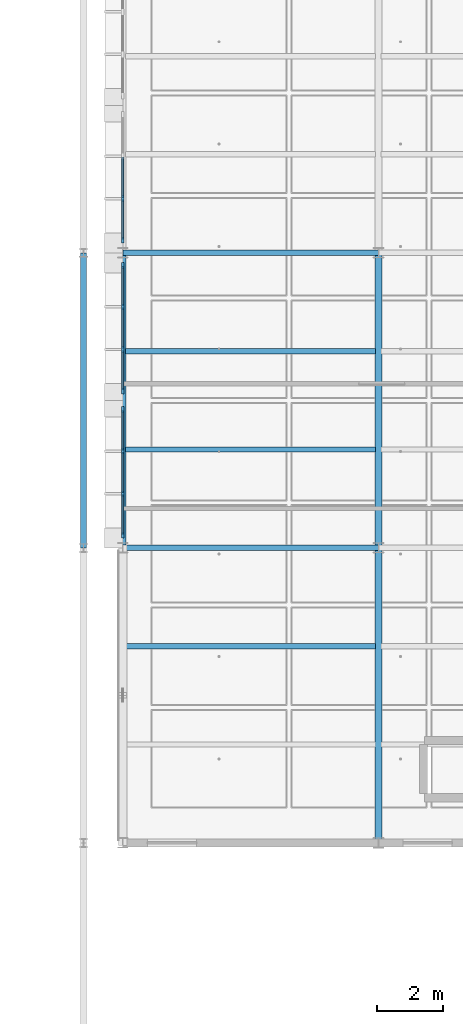
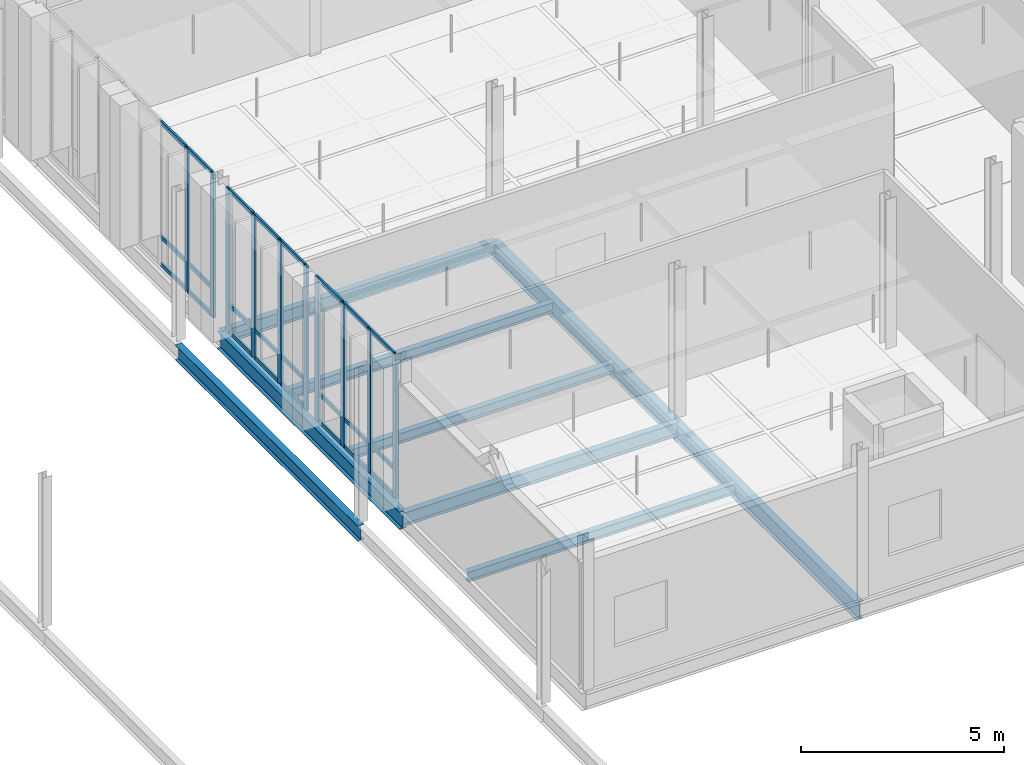
# One storey, part 32 of 130: 34 members, 9 beams, 3 elements without a shape of their own.
"""IFC4 building model written with IfcOpenShell, lengths in metres."""

from ifc_helpers import new_model, si_unit, direction, frame, origin, origin_2d, place, context, subcontext, project, spatial, rectangle, i_section, extrude, material, material_profile, profile_set, type_object, element, aggregate, save


model = new_model("IFC4")

# Units and contexts
model_context = context("Model", 3, precision=1e-05, world=origin(), true_north=direction((0.0, 1.0)))
body_context = subcontext(model_context, "Body", "Model", "MODEL_VIEW")
ifc_project = project(units=[si_unit("LENGTHUNIT", "METRE"), si_unit("AREAUNIT", "SQUARE_METRE"), si_unit("VOLUMEUNIT", "CUBIC_METRE"), si_unit("PLANEANGLEUNIT", "RADIAN"), si_unit("MASSUNIT", "GRAM", prefix="KILO"), si_unit("THERMODYNAMICTEMPERATUREUNIT", "KELVIN"), si_unit("POWERUNIT", "WATT")], contexts=[model_context])

# Site, building, storey
site_placement = place(None, origin())
site = spatial("IfcSite", under=ifc_project, at=site_placement, CompositionType="ELEMENT")
building_placement = place(site_placement, origin())
building = spatial("IfcBuilding", under=site, at=building_placement, Name="Tallowbark Science Centre", CompositionType="ELEMENT")
storey_placement = place(building_placement, frame((0.0, 0.0, 5.39990234375)))
storey = spatial("IfcBuildingStorey", under=building, at=storey_placement, Name="L01", CompositionType="ELEMENT", Elevation=5.39990234375)

# Beams
ifc_material_1 = material(Name="Structural Steel Grade 300PLUS (300 MPa)", Category="steel")
ifc_material_profile_1 = material_profile(ifc_material_1, i_section(OverallWidth=0.177734375, OverallDepth=0.406494140625, WebThickness=0.0078125, FlangeThickness=0.0126953125, FilletRadius=0.011474609375, at=origin_2d()), Name="410UB59.7")
ifc_profile_set_1 = profile_set([ifc_material_profile_1], Name="Structural Steel Grade 300PLUS (300 MPa)")
beam_type_1 = type_object("IfcBeamType", Name="BM-UB410", PredefinedType="BEAM", material=ifc_profile_set_1)
for number, where, z_axis, x_axis, name in (
    (1, (55.199951171875, 81.0, -0.383056640625), (1.0, 0.0, 0.0), (0.0, 1.0, 0.0), "Primary Girder GRDX-L01-552-630-810"),
    (2, (55.199951171875, 90.0, -0.383056640625), (1.0, 0.0, 0.0), (0.0, 1.0, 0.0), "Primary Girder GRDX-L01-552-630-900"),
):
    element("IfcBeam", number, at=place(storey_placement, frame(where, z_axis=z_axis, x_axis=x_axis)), inside=storey, type_object=beam_type_1, Name=name, PredefinedType="BEAM", context=body_context, shape_type="SweptSolid", body=[
        extrude(i_section(OverallWidth=0.177734375, OverallDepth=0.406494140625, WebThickness=0.0078125, FlangeThickness=0.0126953125, FilletRadius=0.011474609375, at=origin_2d()), origin(), (0.0, 0.0, 1.0), 7.800048828125),
    ])
ifc_material_profile_2 = material_profile(ifc_material_1, i_section(OverallWidth=0.208740234375, OverallDepth=0.5283203125, WebThickness=0.009521484375, FlangeThickness=0.01318359375, FilletRadius=0.013916015625, at=origin_2d()), Name="530UB82.0")
ifc_profile_set_2 = profile_set([ifc_material_profile_2], Name="Structural Steel Grade 300PLUS (300 MPa)")
beam_type_2 = type_object("IfcBeamType", Name="BM-UB530B", PredefinedType="BEAM", material=ifc_profile_set_2)
for number, where, z_axis, x_axis, name in (
    (3, (55.199951171875, 81.0, -0.444091796875), (0.0, 1.0, 0.0), (-1.0, 0.0, 0.0), "Primary Girder GRDY-L01-552-810-900"),
    (4, (63.0, 72.0, -0.444091796875), (0.0, 1.0, 0.0), (-1.0, 0.0, 0.0), "Primary Girder GRDY-L01-630-720-810"),
    (5, (63.0, 81.0, -0.444091796875), (0.0, 1.0, 0.0), (-1.0, 0.0, 0.0), "Primary Girder GRDY-L01-630-810-900"),
):
    element("IfcBeam", number, at=place(storey_placement, frame(where, z_axis=z_axis, x_axis=x_axis)), inside=storey, type_object=beam_type_2, Name=name, PredefinedType="BEAM", context=body_context, shape_type="SweptSolid", body=[
        extrude(i_section(OverallWidth=0.208740234375, OverallDepth=0.5283203125, WebThickness=0.009521484375, FlangeThickness=0.01318359375, FilletRadius=0.013916015625, at=origin_2d()), origin(), (0.0, 0.0, 1.0), 9.0),
    ])

# Curtain wall, members
ifc_material_2 = material(Name="Unitised Thermally Broken Aluminium and Low-E Double Glazing", Category="aluminium")
curtain_wall_type = type_object("IfcCurtainWallType", Name="CW-SYS-FACADE", PredefinedType="NOTDEFINED", material=ifc_material_2)
curtain_wall_1_placement = place(storey_placement, origin())
curtain_wall_1 = element("IfcCurtainWall", 6, at=curtain_wall_1_placement, inside=storey, type_object=curtain_wall_type, Name="Unitised Curtain Wall LAB-W-81A CW-L01-045", PredefinedType="NOTDEFINED")
ifc_material_3 = material(Name="Anodised Architectural Aluminium Alloy 6063-T6", Category="aluminium")
ifc_material_profile_3 = material_profile(ifc_material_3, rectangle(XDim=0.06494140625, YDim=0.179931640625, at=origin_2d()), Name="ALU65x180")
ifc_profile_set_3 = profile_set([ifc_material_profile_3], Name="Anodised Architectural Aluminium Alloy 6063-T6")
member_type_1 = type_object("IfcMemberType", Name="CWM-MUL-220", PredefinedType="MULLION", material=ifc_profile_set_3)
member_1_placement = place(storey_placement, frame((55.199951171875, 89.617431640625, 0.0), z_axis=(0.0, 0.0, 1.0), x_axis=(1.0, 0.0, 0.0)))
member_1 = element("IfcMember", 7, at=member_1_placement, type_object=member_type_1, Name="CW-01 mullion 1", PredefinedType="MULLION", context=body_context, shape_type="SweptSolid", body=[
    extrude(rectangle(XDim=0.06494140625, YDim=0.179931640625, at=origin_2d()), origin(), (0.0, 0.0, 1.0), 4.320068359375),
])
member_2_placement = place(storey_placement, frame((55.199951171875, 88.35009765625, 0.0), z_axis=(0.0, 0.0, 1.0), x_axis=(1.0, 0.0, 0.0)))
member_2 = element("IfcMember", 8, at=member_2_placement, type_object=member_type_1, Name="CW-01 mullion 2", PredefinedType="MULLION", context=body_context, shape_type="SweptSolid", body=[
    extrude(rectangle(XDim=0.06494140625, YDim=0.179931640625, at=origin_2d()), origin(), (0.0, 0.0, 1.0), 4.320068359375),
])
member_3_placement = place(storey_placement, frame((55.199951171875, 87.050048828125, 0.0), z_axis=(0.0, 0.0, 1.0), x_axis=(1.0, 0.0, 0.0)))
member_3 = element("IfcMember", 9, at=member_3_placement, type_object=member_type_1, Name="CW-01 mullion 3", PredefinedType="MULLION", context=body_context, shape_type="SweptSolid", body=[
    extrude(rectangle(XDim=0.06494140625, YDim=0.179931640625, at=origin_2d()), origin(), (0.0, 0.0, 1.0), 4.320068359375),
])
member_4_placement = place(storey_placement, frame((55.199951171875, 85.782470703125, 0.0), z_axis=(0.0, 0.0, 1.0), x_axis=(1.0, 0.0, 0.0)))
member_4 = element("IfcMember", 10, at=member_4_placement, type_object=member_type_1, Name="CW-01 mullion 4", PredefinedType="MULLION", context=body_context, shape_type="SweptSolid", body=[
    extrude(rectangle(XDim=0.06494140625, YDim=0.179931640625, at=origin_2d()), origin(), (0.0, 0.0, 1.0), 4.320068359375),
])

curtain_wall_2_placement = place(storey_placement, origin())
curtain_wall_2 = element("IfcCurtainWall", 11, at=curtain_wall_2_placement, inside=storey, type_object=curtain_wall_type, Name="Unitised Curtain Wall LAB-W-81B CW-L01-046", PredefinedType="NOTDEFINED")
member_5_placement = place(storey_placement, frame((55.199951171875, 85.217529296875, 0.0), z_axis=(0.0, 0.0, 1.0), x_axis=(1.0, 0.0, 0.0)))
member_5 = element("IfcMember", 12, at=member_5_placement, type_object=member_type_1, Name="CW-01 mullion 1", PredefinedType="MULLION", context=body_context, shape_type="SweptSolid", body=[
    extrude(rectangle(XDim=0.06494140625, YDim=0.179931640625, at=origin_2d()), origin(), (0.0, 0.0, 1.0), 4.320068359375),
])
member_6_placement = place(storey_placement, frame((55.199951171875, 83.949951171875, 0.0), z_axis=(0.0, 0.0, 1.0), x_axis=(1.0, 0.0, 0.0)))
member_6 = element("IfcMember", 13, at=member_6_placement, type_object=member_type_1, Name="CW-01 mullion 2", PredefinedType="MULLION", context=body_context, shape_type="SweptSolid", body=[
    extrude(rectangle(XDim=0.06494140625, YDim=0.179931640625, at=origin_2d()), origin(), (0.0, 0.0, 1.0), 4.320068359375),
])
member_7_placement = place(storey_placement, frame((55.199951171875, 82.64990234375, 0.0), z_axis=(0.0, 0.0, 1.0), x_axis=(1.0, 0.0, 0.0)))
member_7 = element("IfcMember", 14, at=member_7_placement, type_object=member_type_1, Name="CW-01 mullion 3", PredefinedType="MULLION", context=body_context, shape_type="SweptSolid", body=[
    extrude(rectangle(XDim=0.06494140625, YDim=0.179931640625, at=origin_2d()), origin(), (0.0, 0.0, 1.0), 4.320068359375),
])
member_8_placement = place(storey_placement, frame((55.199951171875, 81.382568359375, 0.0), z_axis=(0.0, 0.0, 1.0), x_axis=(1.0, 0.0, 0.0)))
member_8 = element("IfcMember", 15, at=member_8_placement, type_object=member_type_1, Name="CW-01 mullion 4", PredefinedType="MULLION", context=body_context, shape_type="SweptSolid", body=[
    extrude(rectangle(XDim=0.06494140625, YDim=0.179931640625, at=origin_2d()), origin(), (0.0, 0.0, 1.0), 4.320068359375),
])

curtain_wall_3_placement = place(storey_placement, origin())
curtain_wall_3 = element("IfcCurtainWall", 16, at=curtain_wall_3_placement, inside=storey, type_object=curtain_wall_type, Name="Unitised Curtain Wall LAB-W-90B CW-L01-048", PredefinedType="NOTDEFINED")
member_9_placement = place(storey_placement, frame((55.199951171875, 91.64990234375, 0.0), z_axis=(0.0, 0.0, 1.0), x_axis=(1.0, 0.0, 0.0)))
member_9 = element("IfcMember", 17, at=member_9_placement, type_object=member_type_1, Name="CW-01 mullion 3", PredefinedType="MULLION", context=body_context, shape_type="SweptSolid", body=[
    extrude(rectangle(XDim=0.06494140625, YDim=0.179931640625, at=origin_2d()), origin(), (0.0, 0.0, 1.0), 4.320068359375),
])
member_10_placement = place(storey_placement, frame((55.199951171875, 90.382568359375, 0.0), z_axis=(0.0, 0.0, 1.0), x_axis=(1.0, 0.0, 0.0)))
member_10 = element("IfcMember", 18, at=member_10_placement, type_object=member_type_1, Name="CW-01 mullion 4", PredefinedType="MULLION", context=body_context, shape_type="SweptSolid", body=[
    extrude(rectangle(XDim=0.06494140625, YDim=0.179931640625, at=origin_2d()), origin(), (0.0, 0.0, 1.0), 4.320068359375),
])

# Member
ifc_material_profile_4 = material_profile(ifc_material_3, rectangle(XDim=0.054931640625, YDim=0.1201171875, at=origin_2d()), Name="ALU55x120")
ifc_profile_set_4 = profile_set([ifc_material_profile_4], Name="Anodised Architectural Aluminium Alloy 6063-T6")
member_type_2 = type_object("IfcMemberType", Name="CWM-TRN-150", PredefinedType="USERDEFINED", material=ifc_profile_set_4)
member_11_placement = place(storey_placement, frame((55.199951171875, 89.5849609375, 0.027587890625), z_axis=(0.0, -1.0, 0.0), x_axis=(1.0, 0.0, 0.0)))
member_11 = element("IfcMember", 19, at=member_11_placement, type_object=member_type_2, Name="CW-01 transom 1.1", ObjectType="TRANSOM", PredefinedType="USERDEFINED", context=body_context, shape_type="SweptSolid", body=[
    extrude(rectangle(XDim=0.054931640625, YDim=0.1201171875, at=origin_2d()), origin(), (0.0, 0.0, 1.0), 1.202392578125),
])

member_12_placement = place(storey_placement, frame((55.199951171875, 89.5849609375, 0.85009765625), z_axis=(0.0, -1.0, 0.0), x_axis=(1.0, 0.0, 0.0)))
member_12 = element("IfcMember", 20, at=member_12_placement, type_object=member_type_2, Name="CW-01 transom 1.2", ObjectType="TRANSOM", PredefinedType="USERDEFINED", context=body_context, shape_type="SweptSolid", body=[
    extrude(rectangle(XDim=0.054931640625, YDim=0.1201171875, at=origin_2d()), origin(), (0.0, 0.0, 1.0), 1.202392578125),
])

member_13_placement = place(storey_placement, frame((55.199951171875, 89.5849609375, 4.29248046875), z_axis=(0.0, -1.0, 0.0), x_axis=(1.0, 0.0, 0.0)))
member_13 = element("IfcMember", 21, at=member_13_placement, type_object=member_type_2, Name="CW-01 transom 1.3", ObjectType="TRANSOM", PredefinedType="USERDEFINED", context=body_context, shape_type="SweptSolid", body=[
    extrude(rectangle(XDim=0.054931640625, YDim=0.1201171875, at=origin_2d()), origin(), (0.0, 0.0, 1.0), 1.202392578125),
])

member_14_placement = place(storey_placement, frame((55.199951171875, 88.3173828125, 0.027587890625), z_axis=(0.0, -1.0, 0.0), x_axis=(1.0, 0.0, 0.0)))
member_14 = element("IfcMember", 22, at=member_14_placement, type_object=member_type_2, Name="CW-01 transom 2.1", ObjectType="TRANSOM", PredefinedType="USERDEFINED", context=body_context, shape_type="SweptSolid", body=[
    extrude(rectangle(XDim=0.054931640625, YDim=0.1201171875, at=origin_2d()), origin(), (0.0, 0.0, 1.0), 1.23486328125),
])

member_15_placement = place(storey_placement, frame((55.199951171875, 88.3173828125, 0.85009765625), z_axis=(0.0, -1.0, 0.0), x_axis=(1.0, 0.0, 0.0)))
member_15 = element("IfcMember", 23, at=member_15_placement, type_object=member_type_2, Name="CW-01 transom 2.2", ObjectType="TRANSOM", PredefinedType="USERDEFINED", context=body_context, shape_type="SweptSolid", body=[
    extrude(rectangle(XDim=0.054931640625, YDim=0.1201171875, at=origin_2d()), origin(), (0.0, 0.0, 1.0), 1.23486328125),
])

member_16_placement = place(storey_placement, frame((55.199951171875, 88.3173828125, 4.29248046875), z_axis=(0.0, -1.0, 0.0), x_axis=(1.0, 0.0, 0.0)))
member_16 = element("IfcMember", 24, at=member_16_placement, type_object=member_type_2, Name="CW-01 transom 2.3", ObjectType="TRANSOM", PredefinedType="USERDEFINED", context=body_context, shape_type="SweptSolid", body=[
    extrude(rectangle(XDim=0.054931640625, YDim=0.1201171875, at=origin_2d()), origin(), (0.0, 0.0, 1.0), 1.23486328125),
])

member_17_placement = place(storey_placement, frame((55.199951171875, 87.017578125, 0.027587890625), z_axis=(0.0, -1.0, 0.0), x_axis=(1.0, 0.0, 0.0)))
member_17 = element("IfcMember", 25, at=member_17_placement, type_object=member_type_2, Name="CW-01 transom 3.1", ObjectType="TRANSOM", PredefinedType="USERDEFINED", context=body_context, shape_type="SweptSolid", body=[
    extrude(rectangle(XDim=0.054931640625, YDim=0.1201171875, at=origin_2d()), origin(), (0.0, 0.0, 1.0), 1.20263671875),
])

member_18_placement = place(storey_placement, frame((55.199951171875, 87.017578125, 0.85009765625), z_axis=(0.0, -1.0, 0.0), x_axis=(1.0, 0.0, 0.0)))
member_18 = element("IfcMember", 26, at=member_18_placement, type_object=member_type_2, Name="CW-01 transom 3.2", ObjectType="TRANSOM", PredefinedType="USERDEFINED", context=body_context, shape_type="SweptSolid", body=[
    extrude(rectangle(XDim=0.054931640625, YDim=0.1201171875, at=origin_2d()), origin(), (0.0, 0.0, 1.0), 1.20263671875),
])

member_19_placement = place(storey_placement, frame((55.199951171875, 87.017578125, 4.29248046875), z_axis=(0.0, -1.0, 0.0), x_axis=(1.0, 0.0, 0.0)))
member_19 = element("IfcMember", 27, at=member_19_placement, type_object=member_type_2, Name="CW-01 transom 3.3", ObjectType="TRANSOM", PredefinedType="USERDEFINED", context=body_context, shape_type="SweptSolid", body=[
    extrude(rectangle(XDim=0.054931640625, YDim=0.1201171875, at=origin_2d()), origin(), (0.0, 0.0, 1.0), 1.20263671875),
])

aggregate(curtain_wall_1, [member_1, member_2, member_3, member_4, member_11, member_12, member_13, member_14, member_15, member_16, member_17, member_18, member_19])

member_20_placement = place(storey_placement, frame((55.199951171875, 85.18505859375, 0.027587890625), z_axis=(0.0, -1.0, 0.0), x_axis=(1.0, 0.0, 0.0)))
member_20 = element("IfcMember", 28, at=member_20_placement, type_object=member_type_2, Name="CW-01 transom 1.1", ObjectType="TRANSOM", PredefinedType="USERDEFINED", context=body_context, shape_type="SweptSolid", body=[
    extrude(rectangle(XDim=0.054931640625, YDim=0.1201171875, at=origin_2d()), origin(), (0.0, 0.0, 1.0), 1.20263671875),
])

member_21_placement = place(storey_placement, frame((55.199951171875, 85.18505859375, 0.85009765625), z_axis=(0.0, -1.0, 0.0), x_axis=(1.0, 0.0, 0.0)))
member_21 = element("IfcMember", 29, at=member_21_placement, type_object=member_type_2, Name="CW-01 transom 1.2", ObjectType="TRANSOM", PredefinedType="USERDEFINED", context=body_context, shape_type="SweptSolid", body=[
    extrude(rectangle(XDim=0.054931640625, YDim=0.1201171875, at=origin_2d()), origin(), (0.0, 0.0, 1.0), 1.20263671875),
])

member_22_placement = place(storey_placement, frame((55.199951171875, 85.18505859375, 4.29248046875), z_axis=(0.0, -1.0, 0.0), x_axis=(1.0, 0.0, 0.0)))
member_22 = element("IfcMember", 30, at=member_22_placement, type_object=member_type_2, Name="CW-01 transom 1.3", ObjectType="TRANSOM", PredefinedType="USERDEFINED", context=body_context, shape_type="SweptSolid", body=[
    extrude(rectangle(XDim=0.054931640625, YDim=0.1201171875, at=origin_2d()), origin(), (0.0, 0.0, 1.0), 1.20263671875),
])

member_23_placement = place(storey_placement, frame((55.199951171875, 83.91748046875, 0.027587890625), z_axis=(0.0, -1.0, 0.0), x_axis=(1.0, 0.0, 0.0)))
member_23 = element("IfcMember", 31, at=member_23_placement, type_object=member_type_2, Name="CW-01 transom 2.1", ObjectType="TRANSOM", PredefinedType="USERDEFINED", context=body_context, shape_type="SweptSolid", body=[
    extrude(rectangle(XDim=0.054931640625, YDim=0.1201171875, at=origin_2d()), origin(), (0.0, 0.0, 1.0), 1.23486328125),
])

member_24_placement = place(storey_placement, frame((55.199951171875, 83.91748046875, 0.85009765625), z_axis=(0.0, -1.0, 0.0), x_axis=(1.0, 0.0, 0.0)))
member_24 = element("IfcMember", 32, at=member_24_placement, type_object=member_type_2, Name="CW-01 transom 2.2", ObjectType="TRANSOM", PredefinedType="USERDEFINED", context=body_context, shape_type="SweptSolid", body=[
    extrude(rectangle(XDim=0.054931640625, YDim=0.1201171875, at=origin_2d()), origin(), (0.0, 0.0, 1.0), 1.23486328125),
])

member_25_placement = place(storey_placement, frame((55.199951171875, 83.91748046875, 4.29248046875), z_axis=(0.0, -1.0, 0.0), x_axis=(1.0, 0.0, 0.0)))
member_25 = element("IfcMember", 33, at=member_25_placement, type_object=member_type_2, Name="CW-01 transom 2.3", ObjectType="TRANSOM", PredefinedType="USERDEFINED", context=body_context, shape_type="SweptSolid", body=[
    extrude(rectangle(XDim=0.054931640625, YDim=0.1201171875, at=origin_2d()), origin(), (0.0, 0.0, 1.0), 1.23486328125),
])

member_26_placement = place(storey_placement, frame((55.199951171875, 82.617431640625, 0.027587890625), z_axis=(0.0, -1.0, 0.0), x_axis=(1.0, 0.0, 0.0)))
member_26 = element("IfcMember", 34, at=member_26_placement, type_object=member_type_2, Name="CW-01 transom 3.1", ObjectType="TRANSOM", PredefinedType="USERDEFINED", context=body_context, shape_type="SweptSolid", body=[
    extrude(rectangle(XDim=0.054931640625, YDim=0.1201171875, at=origin_2d()), origin(), (0.0, 0.0, 1.0), 1.202392578125),
])

member_27_placement = place(storey_placement, frame((55.199951171875, 82.617431640625, 0.85009765625), z_axis=(0.0, -1.0, 0.0), x_axis=(1.0, 0.0, 0.0)))
member_27 = element("IfcMember", 35, at=member_27_placement, type_object=member_type_2, Name="CW-01 transom 3.2", ObjectType="TRANSOM", PredefinedType="USERDEFINED", context=body_context, shape_type="SweptSolid", body=[
    extrude(rectangle(XDim=0.054931640625, YDim=0.1201171875, at=origin_2d()), origin(), (0.0, 0.0, 1.0), 1.202392578125),
])

member_28_placement = place(storey_placement, frame((55.199951171875, 82.617431640625, 4.29248046875), z_axis=(0.0, -1.0, 0.0), x_axis=(1.0, 0.0, 0.0)))
member_28 = element("IfcMember", 36, at=member_28_placement, type_object=member_type_2, Name="CW-01 transom 3.3", ObjectType="TRANSOM", PredefinedType="USERDEFINED", context=body_context, shape_type="SweptSolid", body=[
    extrude(rectangle(XDim=0.054931640625, YDim=0.1201171875, at=origin_2d()), origin(), (0.0, 0.0, 1.0), 1.202392578125),
])

aggregate(curtain_wall_2, [member_5, member_6, member_7, member_8, member_20, member_21, member_22, member_23, member_24, member_25, member_26, member_27, member_28])

member_29_placement = place(storey_placement, frame((55.199951171875, 92.91748046875, 0.027587890625), z_axis=(0.0, -1.0, 0.0), x_axis=(1.0, 0.0, 0.0)))
member_29 = element("IfcMember", 37, at=member_29_placement, type_object=member_type_2, Name="CW-01 transom 2.1", ObjectType="TRANSOM", PredefinedType="USERDEFINED", context=body_context, shape_type="SweptSolid", body=[
    extrude(rectangle(XDim=0.054931640625, YDim=0.1201171875, at=origin_2d()), origin(), (0.0, 0.0, 1.0), 1.23486328125),
])

member_30_placement = place(storey_placement, frame((55.199951171875, 92.91748046875, 0.85009765625), z_axis=(0.0, -1.0, 0.0), x_axis=(1.0, 0.0, 0.0)))
member_30 = element("IfcMember", 38, at=member_30_placement, type_object=member_type_2, Name="CW-01 transom 2.2", ObjectType="TRANSOM", PredefinedType="USERDEFINED", context=body_context, shape_type="SweptSolid", body=[
    extrude(rectangle(XDim=0.054931640625, YDim=0.1201171875, at=origin_2d()), origin(), (0.0, 0.0, 1.0), 1.23486328125),
])

member_31_placement = place(storey_placement, frame((55.199951171875, 92.91748046875, 4.29248046875), z_axis=(0.0, -1.0, 0.0), x_axis=(1.0, 0.0, 0.0)))
member_31 = element("IfcMember", 39, at=member_31_placement, type_object=member_type_2, Name="CW-01 transom 2.3", ObjectType="TRANSOM", PredefinedType="USERDEFINED", context=body_context, shape_type="SweptSolid", body=[
    extrude(rectangle(XDim=0.054931640625, YDim=0.1201171875, at=origin_2d()), origin(), (0.0, 0.0, 1.0), 1.23486328125),
])

member_32_placement = place(storey_placement, frame((55.199951171875, 91.617431640625, 0.027587890625), z_axis=(0.0, -1.0, 0.0), x_axis=(1.0, 0.0, 0.0)))
member_32 = element("IfcMember", 40, at=member_32_placement, type_object=member_type_2, Name="CW-01 transom 3.1", ObjectType="TRANSOM", PredefinedType="USERDEFINED", context=body_context, shape_type="SweptSolid", body=[
    extrude(rectangle(XDim=0.054931640625, YDim=0.1201171875, at=origin_2d()), origin(), (0.0, 0.0, 1.0), 1.202392578125),
])

member_33_placement = place(storey_placement, frame((55.199951171875, 91.617431640625, 0.85009765625), z_axis=(0.0, -1.0, 0.0), x_axis=(1.0, 0.0, 0.0)))
member_33 = element("IfcMember", 41, at=member_33_placement, type_object=member_type_2, Name="CW-01 transom 3.2", ObjectType="TRANSOM", PredefinedType="USERDEFINED", context=body_context, shape_type="SweptSolid", body=[
    extrude(rectangle(XDim=0.054931640625, YDim=0.1201171875, at=origin_2d()), origin(), (0.0, 0.0, 1.0), 1.202392578125),
])

member_34_placement = place(storey_placement, frame((55.199951171875, 91.617431640625, 4.29248046875), z_axis=(0.0, -1.0, 0.0), x_axis=(1.0, 0.0, 0.0)))
member_34 = element("IfcMember", 42, at=member_34_placement, type_object=member_type_2, Name="CW-01 transom 3.3", ObjectType="TRANSOM", PredefinedType="USERDEFINED", context=body_context, shape_type="SweptSolid", body=[
    extrude(rectangle(XDim=0.054931640625, YDim=0.1201171875, at=origin_2d()), origin(), (0.0, 0.0, 1.0), 1.202392578125),
])

aggregate(curtain_wall_3, [member_9, member_10, member_29, member_30, member_31, member_32, member_33, member_34])

# Beams
ifc_material_profile_5 = material_profile(ifc_material_1, i_section(OverallWidth=0.166015625, OverallDepth=0.30712890625, WebThickness=0.006591796875, FlangeThickness=0.01171875, FilletRadius=0.011474609375, at=origin_2d()), Name="310UB46.2")
ifc_profile_set_5 = profile_set([ifc_material_profile_5], Name="Structural Steel Grade 300PLUS (300 MPa)")
beam_type_3 = type_object("IfcBeamType", Name="JST-UB310", PredefinedType="JOIST", material=ifc_profile_set_5)
for number, where, z_axis, x_axis, name in (
    (43, (55.284912109375, 78.0, -0.33349609375), (1.0, 0.0, 0.0), (0.0, 1.0, 0.0), "Composite Floor Joist JSTX-L01-552-780"),
    (44, (55.284912109375, 84.0, -0.33349609375), (1.0, 0.0, 0.0), (0.0, 1.0, 0.0), "Composite Floor Joist JSTX-L01-552-840"),
    (45, (55.284912109375, 87.0, -0.33349609375), (1.0, 0.0, 0.0), (0.0, 1.0, 0.0), "Composite Floor Joist JSTX-L01-552-870"),
):
    element("IfcBeam", number, at=place(storey_placement, frame(where, z_axis=z_axis, x_axis=x_axis)), inside=storey, type_object=beam_type_3, Name=name, PredefinedType="JOIST", context=body_context, shape_type="SweptSolid", body=[
        extrude(i_section(OverallWidth=0.166015625, OverallDepth=0.30712890625, WebThickness=0.006591796875, FlangeThickness=0.01171875, FilletRadius=0.011474609375, at=origin_2d()), origin(), (0.0, 0.0, 1.0), 7.630126953125),
    ])
ifc_material_profile_6 = material_profile(ifc_material_1, i_section(OverallWidth=0.18994140625, OverallDepth=0.453857421875, WebThickness=0.008544921875, FlangeThickness=0.0126953125, FilletRadius=0.011474609375, at=origin_2d()), Name="460UB67.1")
ifc_profile_set_6 = profile_set([ifc_material_profile_6], Name="Structural Steel Grade 300PLUS (300 MPa)")
beam_type_4 = type_object("IfcBeamType", Name="SPN-UB460", PredefinedType="SPANDREL", material=ifc_profile_set_6)
beam_placement = place(storey_placement, frame((54.0, 81.0, -0.40673828125), z_axis=(0.0, 1.0, 0.0), x_axis=(-1.0, 0.0, 0.0)))
element("IfcBeam", 46, at=beam_placement, inside=storey, type_object=beam_type_4, Name="Primary Girder GRDY-L01-540-810-900", PredefinedType="SPANDREL", context=body_context, shape_type="SweptSolid", body=[
    extrude(i_section(OverallWidth=0.18994140625, OverallDepth=0.453857421875, WebThickness=0.008544921875, FlangeThickness=0.0126953125, FilletRadius=0.011474609375, at=origin_2d()), origin(), (0.0, 0.0, 1.0), 9.0),
])

save(model, "model.ifc")
